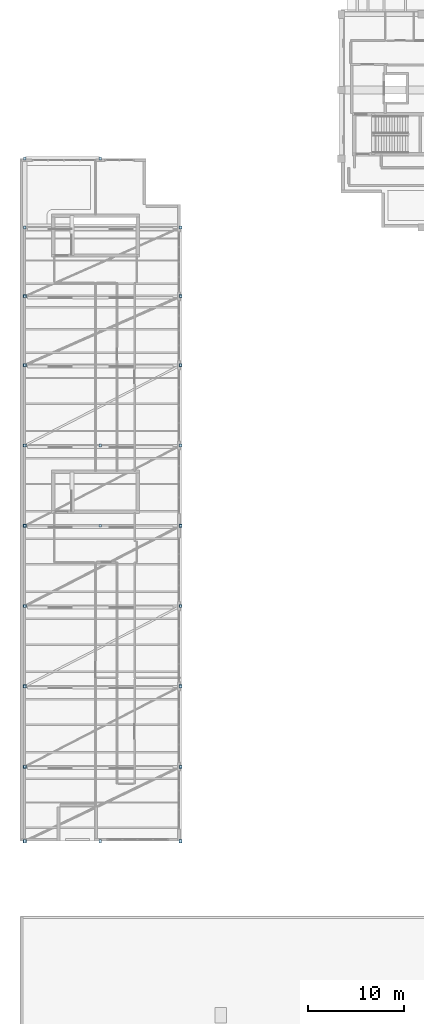
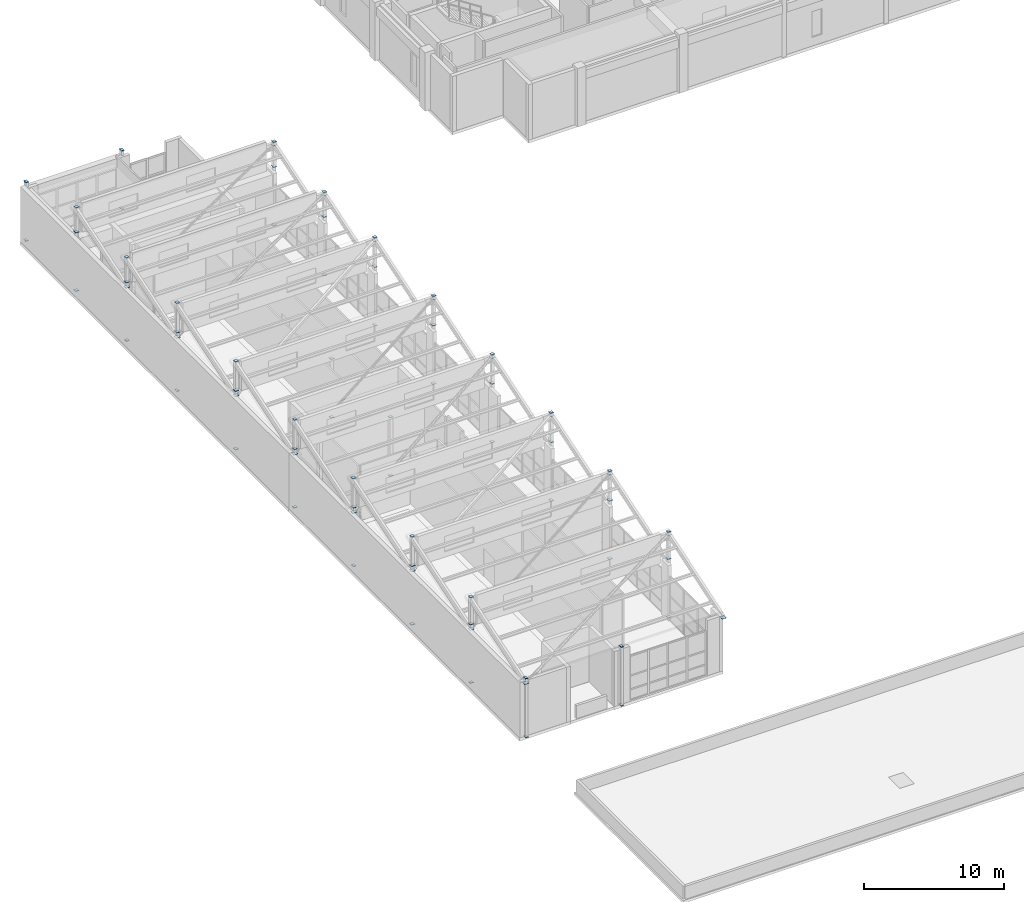
# One storey, part 24 of 34: 77 plates.
"""IFC4 building model written with IfcOpenShell, lengths in metres."""

from ifc_helpers import new_model, si_unit, direction, frame, origin, origin_2d, place, context, subcontext, project, spatial, rectangle, extrude, material, layer, layer_set, type_object, element, save


model = new_model("IFC4")

# Units and contexts
model_context = context("Model", 3, precision=1e-05, world=origin(), true_north=direction((0.0, 1.0)))
body_context = subcontext(model_context, "Body", "Model", "MODEL_VIEW")
ifc_project = project(units=[si_unit("LENGTHUNIT", "METRE"), si_unit("AREAUNIT", "SQUARE_METRE"), si_unit("VOLUMEUNIT", "CUBIC_METRE"), si_unit("PLANEANGLEUNIT", "RADIAN"), si_unit("MASSUNIT", "GRAM", prefix="KILO")], contexts=[model_context])

# Site, building, storey
site_placement = place(None, origin())
site = spatial("IfcSite", under=ifc_project, at=site_placement, CompositionType="ELEMENT")
building_placement = place(site_placement, origin())
building = spatial("IfcBuilding", under=site, at=building_placement, Name="Quendrovan Civic Courthouse", CompositionType="ELEMENT")
storey_placement = place(building_placement, frame((0.0, 0.0, 25.5)))
storey = spatial("IfcBuildingStorey", under=building, at=storey_placement, Name="L06", CompositionType="ELEMENT", Elevation=25.5)

# Plates
ifc_material = material(Name="Steel ASTM A572 Grade 50", Category="steel")
ifc_layer_1 = layer(ifc_material, 0.011962890625, Name="Steel ASTM A572 Grade 50")
ifc_layer_set_1 = layer_set([ifc_layer_1], Name="Steel ASTM A572 Grade 50")
plate_type_1 = type_object("IfcPlateType", Name="PLT-CAP-12", PredefinedType="SHEET", material=ifc_layer_set_1)
for number, where, z_axis, x_axis, name in (
    (1, (0.5, 23.39990234375, 5.10009765625), (0.0, 0.0, 1.0), (1.0, 0.0, 0.0), "L06 Hollow Column End Cap Plate COL-L06-1-D-TOP"),
    (2, (0.5, 23.39990234375, -0.01220703125), (0.0, 0.0, 1.0), (1.0, 0.0, 0.0), "L06 Hollow Column End Cap Plate COL-L06-1-D-BOT"),
):
    element("IfcPlate", number, at=place(storey_placement, frame(where, z_axis=z_axis, x_axis=x_axis)), inside=storey, type_object=plate_type_1, Name=name, PredefinedType="SHEET", context=body_context, shape_type="SweptSolid", body=[
        extrude(rectangle(XDim=0.219970703125, YDim=0.320068359375, at=origin_2d()), origin(), (0.0, 0.0, 1.0), 0.011962890625),
    ])
for number, where, z_axis, x_axis, name in (
    (3, (0.5, 31.199951171875, 5.10009765625), (0.0, 0.0, 1.0), (1.0, 0.0, 0.0), "L06 Hollow Column End Cap Plate COL-L06-1-E-TOP"),
    (4, (0.5, 31.199951171875, -0.01220703125), (0.0, 0.0, 1.0), (1.0, 0.0, 0.0), "L06 Hollow Column End Cap Plate COL-L06-1-E-BOT"),
):
    element("IfcPlate", number, at=place(storey_placement, frame(where, z_axis=z_axis, x_axis=x_axis)), inside=storey, type_object=plate_type_1, Name=name, PredefinedType="SHEET", context=body_context, shape_type="SweptSolid", body=[
        extrude(rectangle(XDim=0.27001953125, YDim=0.27001953125, at=origin_2d()), origin(), (0.0, 0.0, 1.0), 0.011962890625),
    ])
for number, where, z_axis, x_axis, name in (
    (5, (0.5, 39.60009765625, 5.10009765625), (0.0, 0.0, 1.0), (1.0, 0.0, 0.0), "L06 Hollow Column End Cap Plate COL-L06-1-F-TOP"),
    (6, (0.5, 39.60009765625, -0.01220703125), (0.0, 0.0, 1.0), (1.0, 0.0, 0.0), "L06 Hollow Column End Cap Plate COL-L06-1-F-BOT"),
):
    element("IfcPlate", number, at=place(storey_placement, frame(where, z_axis=z_axis, x_axis=x_axis)), inside=storey, type_object=plate_type_1, Name=name, PredefinedType="SHEET", context=body_context, shape_type="SweptSolid", body=[
        extrude(rectangle(XDim=0.29296875, YDim=0.29296875, at=origin_2d()), origin(), (0.0, 0.0, 1.0), 0.011962890625),
    ])
for number, where, z_axis, x_axis, name in (
    (7, (0.5, 48.0, 5.10009765625), (0.0, 0.0, 1.0), (1.0, 0.0, 0.0), "L06 Hollow Column End Cap Plate COL-L06-1-G-TOP"),
    (8, (0.5, 48.0, -0.01220703125), (0.0, 0.0, 1.0), (1.0, 0.0, 0.0), "L06 Hollow Column End Cap Plate COL-L06-1-G-BOT"),
):
    element("IfcPlate", number, at=place(storey_placement, frame(where, z_axis=z_axis, x_axis=x_axis)), inside=storey, type_object=plate_type_1, Name=name, PredefinedType="SHEET", context=body_context, shape_type="SweptSolid", body=[
        extrude(rectangle(XDim=0.219970703125, YDim=0.320068359375, at=origin_2d()), origin(), (0.0, 0.0, 1.0), 0.011962890625),
    ])
for number, where, z_axis, x_axis, name in (
    (9, (0.5, 56.39990234375, 5.10009765625), (0.0, 0.0, 1.0), (1.0, 0.0, 0.0), "L06 Hollow Column End Cap Plate COL-L06-1-H-TOP"),
    (10, (0.5, 56.39990234375, -0.01220703125), (0.0, 0.0, 1.0), (1.0, 0.0, 0.0), "L06 Hollow Column End Cap Plate COL-L06-1-H-BOT"),
):
    element("IfcPlate", number, at=place(storey_placement, frame(where, z_axis=z_axis, x_axis=x_axis)), inside=storey, type_object=plate_type_1, Name=name, PredefinedType="SHEET", context=body_context, shape_type="SweptSolid", body=[
        extrude(rectangle(XDim=0.27001953125, YDim=0.27001953125, at=origin_2d()), origin(), (0.0, 0.0, 1.0), 0.011962890625),
    ])
for number, where, z_axis, x_axis, name in (
    (11, (0.5, 64.800048828125, 5.10009765625), (0.0, 0.0, 1.0), (1.0, 0.0, 0.0), "L06 Hollow Column End Cap Plate COL-L06-1-J-TOP"),
    (12, (0.5, 64.800048828125, -0.01220703125), (0.0, 0.0, 1.0), (1.0, 0.0, 0.0), "L06 Hollow Column End Cap Plate COL-L06-1-J-BOT"),
):
    element("IfcPlate", number, at=place(storey_placement, frame(where, z_axis=z_axis, x_axis=x_axis)), inside=storey, type_object=plate_type_1, Name=name, PredefinedType="SHEET", context=body_context, shape_type="SweptSolid", body=[
        extrude(rectangle(XDim=0.29296875, YDim=0.29296875, at=origin_2d()), origin(), (0.0, 0.0, 1.0), 0.011962890625),
    ])
for number, where, z_axis, x_axis, name in (
    (13, (0.5, 73.199951171875, 5.10009765625), (0.0, 0.0, 1.0), (1.0, 0.0, 0.0), "L06 Hollow Column End Cap Plate COL-L06-1-K-TOP"),
    (14, (0.5, 73.199951171875, -0.01220703125), (0.0, 0.0, 1.0), (1.0, 0.0, 0.0), "L06 Hollow Column End Cap Plate COL-L06-1-K-BOT"),
):
    element("IfcPlate", number, at=place(storey_placement, frame(where, z_axis=z_axis, x_axis=x_axis)), inside=storey, type_object=plate_type_1, Name=name, PredefinedType="SHEET", context=body_context, shape_type="SweptSolid", body=[
        extrude(rectangle(XDim=0.219970703125, YDim=0.320068359375, at=origin_2d()), origin(), (0.0, 0.0, 1.0), 0.011962890625),
    ])
for number, where, z_axis, x_axis, name in (
    (15, (0.5, 80.39990234375, 5.10009765625), (0.0, 0.0, 1.0), (1.0, 0.0, 0.0), "L06 Hollow Column End Cap Plate COL-L06-1-L-TOP"),
    (16, (0.5, 80.39990234375, -0.01220703125), (0.0, 0.0, 1.0), (1.0, 0.0, 0.0), "L06 Hollow Column End Cap Plate COL-L06-1-L-BOT"),
):
    element("IfcPlate", number, at=place(storey_placement, frame(where, z_axis=z_axis, x_axis=x_axis)), inside=storey, type_object=plate_type_1, Name=name, PredefinedType="SHEET", context=body_context, shape_type="SweptSolid", body=[
        extrude(rectangle(XDim=0.27001953125, YDim=0.27001953125, at=origin_2d()), origin(), (0.0, 0.0, 1.0), 0.011962890625),
    ])
for number, where, z_axis, x_axis, name in (
    (17, (0.5, 87.60009765625, 5.10009765625), (0.0, 0.0, 1.0), (1.0, 0.0, 0.0), "L06 Hollow Column End Cap Plate COL-L06-1-M-TOP"),
    (18, (0.5, 87.60009765625, -0.01220703125), (0.0, 0.0, 1.0), (1.0, 0.0, 0.0), "L06 Hollow Column End Cap Plate COL-L06-1-M-BOT"),
):
    element("IfcPlate", number, at=place(storey_placement, frame(where, z_axis=z_axis, x_axis=x_axis)), inside=storey, type_object=plate_type_1, Name=name, PredefinedType="SHEET", context=body_context, shape_type="SweptSolid", body=[
        extrude(rectangle(XDim=0.29296875, YDim=0.29296875, at=origin_2d()), origin(), (0.0, 0.0, 1.0), 0.011962890625),
    ])
for number, where, z_axis, x_axis, name in (
    (19, (0.5, 94.800048828125, 5.10009765625), (0.0, 0.0, 1.0), (1.0, 0.0, 0.0), "L06 Hollow Column End Cap Plate COL-L06-1-N-TOP"),
    (20, (0.5, 94.800048828125, -0.01220703125), (0.0, 0.0, 1.0), (1.0, 0.0, 0.0), "L06 Hollow Column End Cap Plate COL-L06-1-N-BOT"),
    (21, (8.39990234375, 23.39990234375, 5.10009765625), (0.0, 0.0, 1.0), (1.0, 0.0, 0.0), "L06 Hollow Column End Cap Plate COL-L06-2-D-TOP"),
    (22, (8.39990234375, 23.39990234375, -0.01220703125), (0.0, 0.0, 1.0), (1.0, 0.0, 0.0), "L06 Hollow Column End Cap Plate COL-L06-2-D-BOT"),
):
    element("IfcPlate", number, at=place(storey_placement, frame(where, z_axis=z_axis, x_axis=x_axis)), inside=storey, type_object=plate_type_1, Name=name, PredefinedType="SHEET", context=body_context, shape_type="SweptSolid", body=[
        extrude(rectangle(XDim=0.219970703125, YDim=0.320068359375, at=origin_2d()), origin(), (0.0, 0.0, 1.0), 0.011962890625),
    ])
for number, where, z_axis, x_axis, name in (
    (23, (8.39990234375, 56.39990234375, 5.10009765625), (0.0, 0.0, 1.0), (1.0, 0.0, 0.0), "L06 Hollow Column End Cap Plate COL-L06-2-H-TOP"),
    (24, (8.39990234375, 56.39990234375, -0.01220703125), (0.0, 0.0, 1.0), (1.0, 0.0, 0.0), "L06 Hollow Column End Cap Plate COL-L06-2-H-BOT"),
):
    element("IfcPlate", number, at=place(storey_placement, frame(where, z_axis=z_axis, x_axis=x_axis)), inside=storey, type_object=plate_type_1, Name=name, PredefinedType="SHEET", context=body_context, shape_type="SweptSolid", body=[
        extrude(rectangle(XDim=0.27001953125, YDim=0.27001953125, at=origin_2d()), origin(), (0.0, 0.0, 1.0), 0.011962890625),
    ])
for number, where, z_axis, x_axis, name in (
    (25, (8.39990234375, 64.800048828125, 5.10009765625), (0.0, 0.0, 1.0), (1.0, 0.0, 0.0), "L06 Hollow Column End Cap Plate COL-L06-2-J-TOP"),
    (26, (8.39990234375, 64.800048828125, -0.01220703125), (0.0, 0.0, 1.0), (1.0, 0.0, 0.0), "L06 Hollow Column End Cap Plate COL-L06-2-J-BOT"),
):
    element("IfcPlate", number, at=place(storey_placement, frame(where, z_axis=z_axis, x_axis=x_axis)), inside=storey, type_object=plate_type_1, Name=name, PredefinedType="SHEET", context=body_context, shape_type="SweptSolid", body=[
        extrude(rectangle(XDim=0.29296875, YDim=0.29296875, at=origin_2d()), origin(), (0.0, 0.0, 1.0), 0.011962890625),
    ])
for number, where, z_axis, x_axis, name in (
    (27, (8.39990234375, 94.800048828125, 5.10009765625), (0.0, 0.0, 1.0), (1.0, 0.0, 0.0), "L06 Hollow Column End Cap Plate COL-L06-2-N-TOP"),
    (28, (8.39990234375, 94.800048828125, -0.01220703125), (0.0, 0.0, 1.0), (1.0, 0.0, 0.0), "L06 Hollow Column End Cap Plate COL-L06-2-N-BOT"),
):
    element("IfcPlate", number, at=place(storey_placement, frame(where, z_axis=z_axis, x_axis=x_axis)), inside=storey, type_object=plate_type_1, Name=name, PredefinedType="SHEET", context=body_context, shape_type="SweptSolid", body=[
        extrude(rectangle(XDim=0.219970703125, YDim=0.320068359375, at=origin_2d()), origin(), (0.0, 0.0, 1.0), 0.011962890625),
    ])
for number, where, z_axis, x_axis, name in (
    (29, (16.800048828125, 31.199951171875, 5.10009765625), (0.0, 0.0, 1.0), (1.0, 0.0, 0.0), "L06 Hollow Column End Cap Plate COL-L06-3-E-TOP"),
    (30, (16.800048828125, 31.199951171875, -0.01220703125), (0.0, 0.0, 1.0), (1.0, 0.0, 0.0), "L06 Hollow Column End Cap Plate COL-L06-3-E-BOT"),
):
    element("IfcPlate", number, at=place(storey_placement, frame(where, z_axis=z_axis, x_axis=x_axis)), inside=storey, type_object=plate_type_1, Name=name, PredefinedType="SHEET", context=body_context, shape_type="SweptSolid", body=[
        extrude(rectangle(XDim=0.27001953125, YDim=0.27001953125, at=origin_2d()), origin(), (0.0, 0.0, 1.0), 0.011962890625),
    ])
for number, where, z_axis, x_axis, name in (
    (31, (16.800048828125, 39.60009765625, 5.10009765625), (0.0, 0.0, 1.0), (1.0, 0.0, 0.0), "L06 Hollow Column End Cap Plate COL-L06-3-F-TOP"),
    (32, (16.800048828125, 39.60009765625, -0.01220703125), (0.0, 0.0, 1.0), (1.0, 0.0, 0.0), "L06 Hollow Column End Cap Plate COL-L06-3-F-BOT"),
):
    element("IfcPlate", number, at=place(storey_placement, frame(where, z_axis=z_axis, x_axis=x_axis)), inside=storey, type_object=plate_type_1, Name=name, PredefinedType="SHEET", context=body_context, shape_type="SweptSolid", body=[
        extrude(rectangle(XDim=0.29296875, YDim=0.29296875, at=origin_2d()), origin(), (0.0, 0.0, 1.0), 0.011962890625),
    ])
for number, where, z_axis, x_axis, name in (
    (33, (16.800048828125, 48.0, 5.10009765625), (0.0, 0.0, 1.0), (1.0, 0.0, 0.0), "L06 Hollow Column End Cap Plate COL-L06-3-G-TOP"),
    (34, (16.800048828125, 48.0, -0.01220703125), (0.0, 0.0, 1.0), (1.0, 0.0, 0.0), "L06 Hollow Column End Cap Plate COL-L06-3-G-BOT"),
):
    element("IfcPlate", number, at=place(storey_placement, frame(where, z_axis=z_axis, x_axis=x_axis)), inside=storey, type_object=plate_type_1, Name=name, PredefinedType="SHEET", context=body_context, shape_type="SweptSolid", body=[
        extrude(rectangle(XDim=0.219970703125, YDim=0.320068359375, at=origin_2d()), origin(), (0.0, 0.0, 1.0), 0.011962890625),
    ])
for number, where, z_axis, x_axis, name in (
    (35, (16.800048828125, 56.39990234375, 5.10009765625), (0.0, 0.0, 1.0), (1.0, 0.0, 0.0), "L06 Hollow Column End Cap Plate COL-L06-3-H-TOP"),
    (36, (16.800048828125, 56.39990234375, -0.01220703125), (0.0, 0.0, 1.0), (1.0, 0.0, 0.0), "L06 Hollow Column End Cap Plate COL-L06-3-H-BOT"),
):
    element("IfcPlate", number, at=place(storey_placement, frame(where, z_axis=z_axis, x_axis=x_axis)), inside=storey, type_object=plate_type_1, Name=name, PredefinedType="SHEET", context=body_context, shape_type="SweptSolid", body=[
        extrude(rectangle(XDim=0.27001953125, YDim=0.27001953125, at=origin_2d()), origin(), (0.0, 0.0, 1.0), 0.011962890625),
    ])
for number, where, z_axis, x_axis, name in (
    (37, (16.800048828125, 64.800048828125, 5.10009765625), (0.0, 0.0, 1.0), (1.0, 0.0, 0.0), "L06 Hollow Column End Cap Plate COL-L06-3-J-TOP"),
    (38, (16.800048828125, 64.800048828125, -0.01220703125), (0.0, 0.0, 1.0), (1.0, 0.0, 0.0), "L06 Hollow Column End Cap Plate COL-L06-3-J-BOT"),
):
    element("IfcPlate", number, at=place(storey_placement, frame(where, z_axis=z_axis, x_axis=x_axis)), inside=storey, type_object=plate_type_1, Name=name, PredefinedType="SHEET", context=body_context, shape_type="SweptSolid", body=[
        extrude(rectangle(XDim=0.29296875, YDim=0.29296875, at=origin_2d()), origin(), (0.0, 0.0, 1.0), 0.011962890625),
    ])
for number, where, z_axis, x_axis, name in (
    (39, (16.800048828125, 73.199951171875, 5.10009765625), (0.0, 0.0, 1.0), (1.0, 0.0, 0.0), "L06 Hollow Column End Cap Plate COL-L06-3-K-TOP"),
    (40, (16.800048828125, 73.199951171875, -0.01220703125), (0.0, 0.0, 1.0), (1.0, 0.0, 0.0), "L06 Hollow Column End Cap Plate COL-L06-3-K-BOT"),
):
    element("IfcPlate", number, at=place(storey_placement, frame(where, z_axis=z_axis, x_axis=x_axis)), inside=storey, type_object=plate_type_1, Name=name, PredefinedType="SHEET", context=body_context, shape_type="SweptSolid", body=[
        extrude(rectangle(XDim=0.219970703125, YDim=0.320068359375, at=origin_2d()), origin(), (0.0, 0.0, 1.0), 0.011962890625),
    ])
for number, where, z_axis, x_axis, name in (
    (41, (16.800048828125, 80.39990234375, 5.10009765625), (0.0, 0.0, 1.0), (1.0, 0.0, 0.0), "L06 Hollow Column End Cap Plate COL-L06-3-L-TOP"),
    (42, (16.800048828125, 80.39990234375, -0.01220703125), (0.0, 0.0, 1.0), (1.0, 0.0, 0.0), "L06 Hollow Column End Cap Plate COL-L06-3-L-BOT"),
):
    element("IfcPlate", number, at=place(storey_placement, frame(where, z_axis=z_axis, x_axis=x_axis)), inside=storey, type_object=plate_type_1, Name=name, PredefinedType="SHEET", context=body_context, shape_type="SweptSolid", body=[
        extrude(rectangle(XDim=0.27001953125, YDim=0.27001953125, at=origin_2d()), origin(), (0.0, 0.0, 1.0), 0.011962890625),
    ])
for number, where, z_axis, x_axis, name in (
    (43, (16.800048828125, 87.60009765625, 5.10009765625), (0.0, 0.0, 1.0), (1.0, 0.0, 0.0), "L06 Hollow Column End Cap Plate COL-L06-3-M-TOP"),
    (44, (16.800048828125, 87.60009765625, -0.01220703125), (0.0, 0.0, 1.0), (1.0, 0.0, 0.0), "L06 Hollow Column End Cap Plate COL-L06-3-M-BOT"),
):
    element("IfcPlate", number, at=place(storey_placement, frame(where, z_axis=z_axis, x_axis=x_axis)), inside=storey, type_object=plate_type_1, Name=name, PredefinedType="SHEET", context=body_context, shape_type="SweptSolid", body=[
        extrude(rectangle(XDim=0.29296875, YDim=0.29296875, at=origin_2d()), origin(), (0.0, 0.0, 1.0), 0.011962890625),
    ])
for number, where, z_axis, x_axis, name in (
    (45, (0.5, 31.199951171875, 7.45458984375), (0.0, 0.0, 1.0), (1.0, 0.0, 0.0), "Sawtooth Post Top Cap Plate W-1"),
    (46, (0.5, 39.60009765625, 7.6494140625), (0.0, 0.0, 1.0), (1.0, 0.0, 0.0), "Sawtooth Post Top Cap Plate W-2"),
    (47, (0.5, 48.0, 7.6494140625), (0.0, 0.0, 1.0), (1.0, 0.0, 0.0), "Sawtooth Post Top Cap Plate W-3"),
    (48, (0.5, 56.39990234375, 7.6494140625), (0.0, 0.0, 1.0), (1.0, 0.0, 0.0), "Sawtooth Post Top Cap Plate W-4"),
    (49, (0.5, 64.800048828125, 7.6494140625), (0.0, 0.0, 1.0), (1.0, 0.0, 0.0), "Sawtooth Post Top Cap Plate W-5"),
    (50, (0.5, 73.199951171875, 7.6494140625), (0.0, 0.0, 1.0), (1.0, 0.0, 0.0), "Sawtooth Post Top Cap Plate W-6"),
    (51, (0.5, 80.39990234375, 7.25927734375), (0.0, 0.0, 1.0), (1.0, 0.0, 0.0), "Sawtooth Post Top Cap Plate W-7"),
    (52, (0.5, 87.60009765625, 7.25927734375), (0.0, 0.0, 1.0), (1.0, 0.0, 0.0), "Sawtooth Post Top Cap Plate W-8"),
    (53, (16.800048828125, 31.199951171875, 7.45458984375), (0.0, 0.0, 1.0), (1.0, 0.0, 0.0), "Sawtooth Post Top Cap Plate E-1"),
    (54, (16.800048828125, 39.60009765625, 7.6494140625), (0.0, 0.0, 1.0), (1.0, 0.0, 0.0), "Sawtooth Post Top Cap Plate E-2"),
    (55, (16.800048828125, 48.0, 7.6494140625), (0.0, 0.0, 1.0), (1.0, 0.0, 0.0), "Sawtooth Post Top Cap Plate E-3"),
    (56, (16.800048828125, 56.39990234375, 7.6494140625), (0.0, 0.0, 1.0), (1.0, 0.0, 0.0), "Sawtooth Post Top Cap Plate E-4"),
    (57, (16.800048828125, 64.800048828125, 7.6494140625), (0.0, 0.0, 1.0), (1.0, 0.0, 0.0), "Sawtooth Post Top Cap Plate E-5"),
    (58, (16.800048828125, 73.199951171875, 7.6494140625), (0.0, 0.0, 1.0), (1.0, 0.0, 0.0), "Sawtooth Post Top Cap Plate E-6"),
    (59, (16.800048828125, 80.39990234375, 7.25927734375), (0.0, 0.0, 1.0), (1.0, 0.0, 0.0), "Sawtooth Post Top Cap Plate E-7"),
    (60, (16.800048828125, 87.60009765625, 7.25927734375), (0.0, 0.0, 1.0), (1.0, 0.0, 0.0), "Sawtooth Post Top Cap Plate E-8"),
):
    element("IfcPlate", number, at=place(storey_placement, frame(where, z_axis=z_axis, x_axis=x_axis)), inside=storey, type_object=plate_type_1, Name=name, PredefinedType="SHEET", context=body_context, shape_type="SweptSolid", body=[
        extrude(rectangle(XDim=0.27001953125, YDim=0.27001953125, at=origin_2d()), origin(), (0.0, 0.0, 1.0), 0.011962890625),
    ])
for number, where, z_axis, x_axis, name in (
    (61, (16.800048828125, 31.199951171875, 7.1796875), (0.0, 0.0, 1.0), (1.0, 0.0, 0.0), "Sawtooth Brace Gusset and End Cap Plate B1-2"),
    (62, (16.800048828125, 23.39990234375, 4.6455078125), (0.0, 0.0, 1.0), (1.0, 0.0, 0.0), "Sawtooth Rafter Cast-In End Cap Plate B1-E0"),
    (63, (0.5, 31.199951171875, 4.6455078125), (0.0, 0.0, 1.0), (1.0, 0.0, 0.0), "Sawtooth Brace Gusset and End Cap Plate B2-1"),
    (64, (16.800048828125, 64.800048828125, 7.375), (0.0, 0.0, 1.0), (1.0, 0.0, 0.0), "Sawtooth Brace Gusset and End Cap Plate B5-2"),
    (65, (0.5, 64.800048828125, 4.6455078125), (0.0, 0.0, 1.0), (1.0, 0.0, 0.0), "Sawtooth Brace Gusset and End Cap Plate B6-1"),
):
    element("IfcPlate", number, at=place(storey_placement, frame(where, z_axis=z_axis, x_axis=x_axis)), inside=storey, type_object=plate_type_1, Name=name, PredefinedType="SHEET", context=body_context, shape_type="SweptSolid", body=[
        extrude(rectangle(XDim=0.340087890625, YDim=0.340087890625, at=origin_2d()), origin(), (0.0, 0.0, 1.0), 0.011962890625),
    ])
ifc_layer_2 = layer(ifc_material, 0.01611328125, Name="Steel ASTM A572 Grade 50")
ifc_layer_set_2 = layer_set([ifc_layer_2], Name="Steel ASTM A572 Grade 50")
plate_type_2 = type_object("IfcPlateType", Name="PLT-GUSSET-16", PredefinedType="USERDEFINED", material=ifc_layer_set_2)
for number, where, z_axis, x_axis, name in (
    (66, (16.800048828125, 39.60009765625, 7.372802734375), (0.0, 0.0, 1.0), (1.0, 0.0, 0.0), "Sawtooth Brace Gusset and End Cap Plate B2-2"),
    (67, (0.5, 39.60009765625, 4.6435546875), (0.0, 0.0, 1.0), (1.0, 0.0, 0.0), "Sawtooth Brace Gusset and End Cap Plate B3-1"),
    (68, (16.800048828125, 73.199951171875, 7.372802734375), (0.0, 0.0, 1.0), (1.0, 0.0, 0.0), "Sawtooth Brace Gusset and End Cap Plate B6-2"),
    (69, (0.5, 73.199951171875, 4.6435546875), (0.0, 0.0, 1.0), (1.0, 0.0, 0.0), "Sawtooth Brace Gusset and End Cap Plate B7-1"),
):
    element("IfcPlate", number, at=place(storey_placement, frame(where, z_axis=z_axis, x_axis=x_axis)), inside=storey, type_object=plate_type_2, Name=name, ObjectType="GUSSET PLATE", PredefinedType="USERDEFINED", context=body_context, shape_type="SweptSolid", body=[
        extrude(rectangle(XDim=0.340087890625, YDim=0.340087890625, at=origin_2d()), origin(), (0.0, 0.0, 1.0), 0.01611328125),
    ])
ifc_layer_3 = layer(ifc_material, 0.02001953125, Name="Steel ASTM A572 Grade 50")
ifc_layer_set_3 = layer_set([ifc_layer_3], Name="Steel ASTM A572 Grade 50")
plate_type_3 = type_object("IfcPlateType", Name="PLT-GUSSET-20", PredefinedType="USERDEFINED", material=ifc_layer_set_3)
for number, where, z_axis, x_axis, name in (
    (70, (16.800048828125, 48.0, 7.370849609375), (0.0, 0.0, 1.0), (1.0, 0.0, 0.0), "Sawtooth Brace Gusset and End Cap Plate B3-2"),
    (71, (0.5, 48.0, 4.6416015625), (0.0, 0.0, 1.0), (1.0, 0.0, 0.0), "Sawtooth Brace Gusset and End Cap Plate B4-1"),
    (72, (16.800048828125, 80.39990234375, 6.98095703125), (0.0, 0.0, 1.0), (1.0, 0.0, 0.0), "Sawtooth Brace Gusset and End Cap Plate B7-2"),
    (73, (0.5, 80.39990234375, 4.6416015625), (0.0, 0.0, 1.0), (1.0, 0.0, 0.0), "Sawtooth Brace Gusset and End Cap Plate B8-1"),
):
    element("IfcPlate", number, at=place(storey_placement, frame(where, z_axis=z_axis, x_axis=x_axis)), inside=storey, type_object=plate_type_3, Name=name, ObjectType="GUSSET PLATE", PredefinedType="USERDEFINED", context=body_context, shape_type="SweptSolid", body=[
        extrude(rectangle(XDim=0.340087890625, YDim=0.340087890625, at=origin_2d()), origin(), (0.0, 0.0, 1.0), 0.02001953125),
    ])
ifc_layer_4 = layer(ifc_material, 0.02392578125, Name="Steel ASTM A572 Grade 50")
ifc_layer_set_4 = layer_set([ifc_layer_4], Name="Steel ASTM A572 Grade 50")
plate_type_4 = type_object("IfcPlateType", Name="PLT-GUSSET-24", PredefinedType="USERDEFINED", material=ifc_layer_set_4)
for number, where, z_axis, x_axis, name in (
    (74, (0.5, 23.39990234375, 4.6396484375), (0.0, 0.0, 1.0), (1.0, 0.0, 0.0), "Sawtooth Brace Gusset and End Cap Plate B1-1"),
    (75, (16.800048828125, 56.39990234375, 7.368896484375), (0.0, 0.0, 1.0), (1.0, 0.0, 0.0), "Sawtooth Brace Gusset and End Cap Plate B4-2"),
    (76, (0.5, 56.39990234375, 4.6396484375), (0.0, 0.0, 1.0), (1.0, 0.0, 0.0), "Sawtooth Brace Gusset and End Cap Plate B5-1"),
    (77, (16.800048828125, 87.60009765625, 6.97900390625), (0.0, 0.0, 1.0), (1.0, 0.0, 0.0), "Sawtooth Brace Gusset and End Cap Plate B8-2"),
):
    element("IfcPlate", number, at=place(storey_placement, frame(where, z_axis=z_axis, x_axis=x_axis)), inside=storey, type_object=plate_type_4, Name=name, ObjectType="GUSSET PLATE", PredefinedType="USERDEFINED", context=body_context, shape_type="SweptSolid", body=[
        extrude(rectangle(XDim=0.340087890625, YDim=0.340087890625, at=origin_2d()), origin(), (0.0, 0.0, 1.0), 0.02392578125),
    ])

save(model, "model.ifc")
